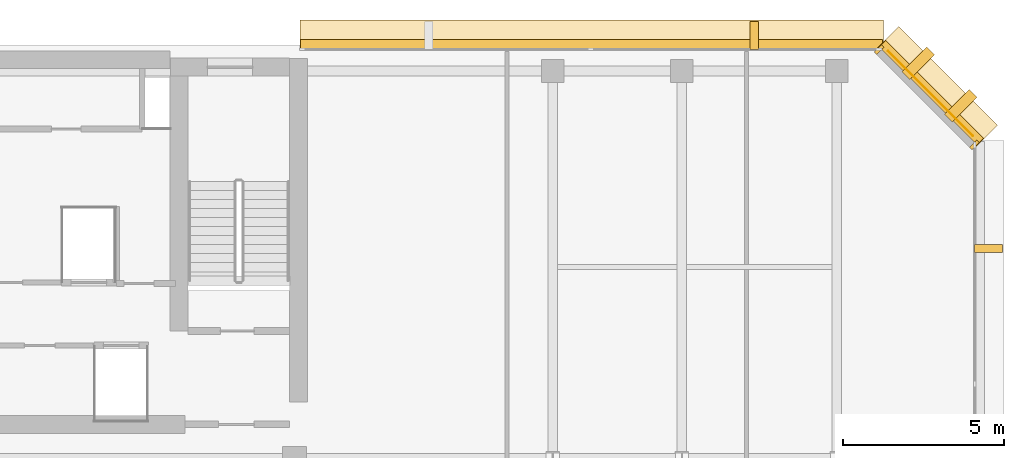
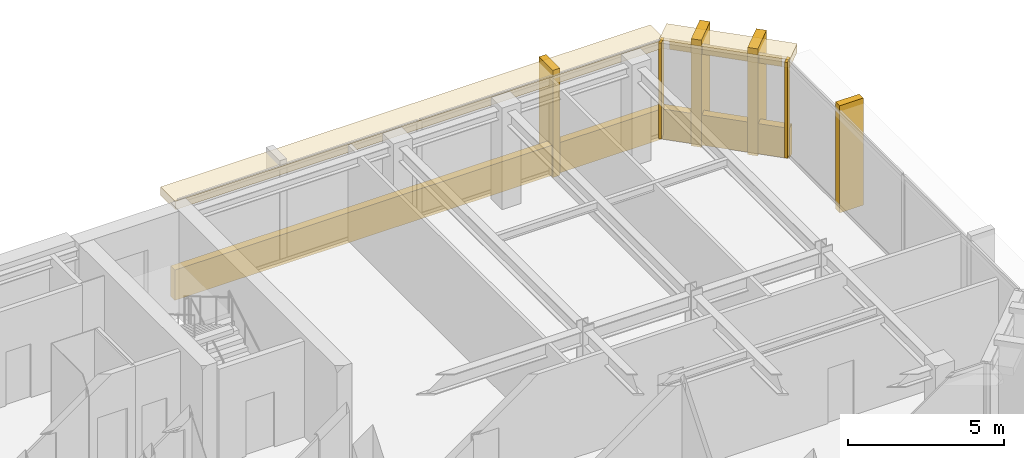
# One storey, part 11 of 11: 11 coverings.
"""IFC4 building model written with IfcOpenShell, lengths in metres."""

import ifcopenshell
import ifcopenshell.guid

model = None  # the IFC model being written
_history = None  # IfcOwnerHistory: only IFC2X3 demands one
_inside = {}  # id of a spatial element -> (the spatial element, [elements in it])
_under = {}  # id of a project, library or spatial element -> (it, [spatial elements below it])
_declared = {}  # id of a project -> (the project, [libraries it declares])
_typed = {}  # id of a type object -> (the type object, [elements of that type])
_made_of = {}  # id of a material, layer set ... -> (it, [elements and type objects made of it])


def new_model(schema):
    """Start an empty IFC model of exactly this schema.

    Asked for "IFC4X3", IfcOpenShell would pick the latest addendum, in which some entities
    have other attributes; the version numbers below select the first issue.
    IFC2X3 requires an IfcOwnerHistory on every rooted entity: one is made here for all.
    """
    global model, _history
    if schema == "IFC4X3":
        model = ifcopenshell.file(schema_version=(4, 3, 0, 0))
    else:
        model = ifcopenshell.file(schema=schema)
    _inside.clear()
    _under.clear()
    _declared.clear()
    _typed.clear()
    _made_of.clear()
    _history = None
    if model.schema == "IFC2X3":
        org = make("IfcOrganization", Name="unknown")
        user = make(
            "IfcPersonAndOrganization",
            ThePerson=make("IfcPerson", FamilyName="unknown"),
            TheOrganization=org,
        )
        app = make(
            "IfcApplication",
            ApplicationDeveloper=org,
            Version="unknown",
            ApplicationFullName="unknown",
            ApplicationIdentifier="unknown",
        )
        _history = make(
            "IfcOwnerHistory",
            OwningUser=user,
            OwningApplication=app,
            ChangeAction="ADDED",
            CreationDate=0,
        )
    return model


def make(cls, **values):
    """One entity of the class cls with the attributes given. An attribute that is None is left unset."""
    return model.create_entity(
        cls, **{name: value for name, value in values.items() if value is not None}
    )


def rooted(cls, **values):
    """An entity with a GlobalId (a new one), such as an element, a storey or a relation."""
    return make(cls, GlobalId=ifcopenshell.guid.new(), OwnerHistory=_history, **values)


def si_unit(unit_type, name, prefix=None):
    """IfcSIUnit, for example si_unit("LENGTHUNIT", "METRE", prefix="MILLI")."""
    return make("IfcSIUnit", UnitType=unit_type, Prefix=prefix, Name=name)


def assignment(units):
    """IfcUnitAssignment: the units of a project."""
    return None if units is None else make("IfcUnitAssignment", Units=units)


def point(xyz):
    """IfcCartesianPoint."""
    return None if xyz is None else make("IfcCartesianPoint", Coordinates=xyz)


def direction(xyz):
    """IfcDirection."""
    return None if xyz is None else make("IfcDirection", DirectionRatios=xyz)


def frame(location, z_axis=None, x_axis=None):
    """IfcAxis2Placement3D, a coordinate frame: its origin and axes. An axis left out is left unset."""
    return make(
        "IfcAxis2Placement3D",
        Location=point(location),
        Axis=direction(z_axis),
        RefDirection=direction(x_axis),
    )


def frame_2d(location, x_axis=None):
    """IfcAxis2Placement2D, a coordinate frame in the plane: its origin and x axis."""
    return make(
        "IfcAxis2Placement2D", Location=point(location), RefDirection=direction(x_axis)
    )


def origin():
    """The frame at (0, 0, 0) with its axes left unset."""
    return frame((0.0, 0.0, 0.0))


def origin_2d():
    """The frame at (0, 0) in the plane with its x axis left unset."""
    return frame_2d((0.0, 0.0))


def place(relative_to, where):
    """IfcLocalPlacement: puts the frame where relative to a parent placement (None: the world)."""
    return make(
        "IfcLocalPlacement", PlacementRelTo=relative_to, RelativePlacement=where
    )


def context(
    kind, dimensions, precision=None, world=None, true_north=None, identifier=None
):
    """IfcGeometricRepresentationContext, for example the 3D "Model" context."""
    return make(
        "IfcGeometricRepresentationContext",
        ContextIdentifier=identifier,
        ContextType=kind,
        CoordinateSpaceDimension=dimensions,
        Precision=precision,
        WorldCoordinateSystem=world,
        TrueNorth=true_north,
    )


def subcontext(parent, identifier, kind, view, scale=None):
    """IfcGeometricRepresentationSubContext, for example "Body" below "Model"."""
    return make(
        "IfcGeometricRepresentationSubContext",
        ContextIdentifier=identifier,
        ContextType=kind,
        ParentContext=parent,
        TargetScale=scale,
        TargetView=view,
    )


def project(units=None, contexts=None):
    """IfcProject with its units and contexts."""
    return rooted(
        "IfcProject",
        Name="project",
        RepresentationContexts=contexts,
        UnitsInContext=assignment(units),
    )


def spatial(cls, under=None, at=None, **own):
    """A site, building, storey or space (cls), placed at a placement, below another one or the project."""
    s = rooted(cls, ObjectPlacement=at, **own)
    if under is not None:
        _under.setdefault(under.id(), (under, []))[1].append(s)
    return s


def profile(cls, at=None, kind="AREA", **sizes):
    """A parametric profile (cls). Its sizes go by their IFC names, for example OverallWidth=200.0."""
    return make(cls, ProfileType=kind, Position=at, **sizes)


def rectangle(**sizes):
    """IfcRectangleProfileDef."""
    return profile("IfcRectangleProfileDef", **sizes)


def extrude(swept, where, along, depth):
    """IfcExtrudedAreaSolid: the profile swept, set in the frame where, extruded along a direction by depth."""
    return make(
        "IfcExtrudedAreaSolid",
        SweptArea=swept,
        Position=where,
        ExtrudedDirection=direction(along),
        Depth=depth,
    )


def shape(context_of_items, identifier, shape_type, items):
    """IfcShapeRepresentation: the items that make up one representation, for example the "Body"."""
    return make(
        "IfcShapeRepresentation",
        ContextOfItems=context_of_items,
        RepresentationIdentifier=identifier,
        RepresentationType=shape_type,
        Items=items,
    )


def material(Name=None, Category=None):
    """IfcMaterial."""
    return make("IfcMaterial", Name=Name, Category=Category)


def layer(
    of_material, thickness, ventilated=None, Name=None, Category=None, Priority=None
):
    """IfcMaterialLayer: one layer of a wall or slab, of a material (None: an air gap)."""
    return make(
        "IfcMaterialLayer",
        Material=of_material,
        LayerThickness=thickness,
        IsVentilated=ventilated,
        Name=Name,
        Category=Category,
        Priority=Priority,
    )


def layer_set(layers, Name=None):
    """IfcMaterialLayerSet."""
    return make("IfcMaterialLayerSet", MaterialLayers=layers, LayerSetName=Name)


def made_of(thing, what):
    """Note that an element or type object is made of a material, layer set ...; save() writes the relation."""
    if what is not None:
        _made_of.setdefault(what.id(), (what, []))[1].append(thing)
    return thing


def type_object(cls, material=None, **own):
    """A type object (cls), such as IfcWallType, which elements share."""
    return made_of(rooted(cls, **own), material)


def element(
    cls,
    number,
    at=None,
    inside=None,
    cuts=None,
    type_object=None,
    material=None,
    context=None,
    identifier="Body",
    shape_type=None,
    held_by="IfcProductDefinitionShape",
    body=None,
    shapes=None,
    **own,
):
    """One element of the class cls, such as IfcWall. Its Tag is "e" and its number.

    at: its placement. inside: the storey or other place that contains it. cuts: it is an
    opening in that element (IfcRelVoidsElement). A single representation is given by context,
    identifier, shape_type and body (its items); several are given by shapes. held_by: the class
    of the entity that holds the representations. save() writes the other relations.
    """
    e = rooted(cls, Tag="e%d" % number, ObjectPlacement=at, **own)
    if body is not None:
        shapes = [shape(context, identifier, shape_type, body)]
    if shapes is not None:
        e.Representation = make(held_by, Representations=shapes)
    if inside is not None:
        _inside.setdefault(inside.id(), (inside, []))[1].append(e)
    if cuts is not None:
        rooted(
            "IfcRelVoidsElement", RelatingBuildingElement=cuts, RelatedOpeningElement=e
        )
    if type_object is not None:
        _typed.setdefault(type_object.id(), (type_object, []))[1].append(e)
    return made_of(e, material)


def aggregate(whole, parts):
    """IfcRelAggregates: a whole, such as a stair, and the parts it consists of."""
    return rooted("IfcRelAggregates", RelatingObject=whole, RelatedObjects=parts)


def save(model, path):
    """Write the relations noted so far, then the file.

    IfcRelAggregates (storeys below a building ...), IfcRelContainedInSpatialStructure (elements
    in a storey), IfcRelDefinesByType, IfcRelAssociatesMaterial and IfcRelDeclares: one each for
    every whole, place, type object, material and project.
    """
    for whole, parts in _under.values():
        aggregate(whole, parts)
    for where, things in _inside.values():
        rooted(
            "IfcRelContainedInSpatialStructure",
            RelatedElements=things,
            RelatingStructure=where,
        )
    for kind, things in _typed.values():
        rooted("IfcRelDefinesByType", RelatedObjects=things, RelatingType=kind)
    for what, things in _made_of.values():
        rooted("IfcRelAssociatesMaterial", RelatedObjects=things, RelatingMaterial=what)
    for by, libraries in _declared.values():
        rooted("IfcRelDeclares", RelatingContext=by, RelatedDefinitions=libraries)
    model.write(path)


model = new_model("IFC4")

# Units and contexts
model_context = context("Model", 3, precision=1e-05, world=origin(), true_north=direction((0.0, 1.0)))
body_context = subcontext(model_context, "Body", "Model", "MODEL_VIEW")
ifc_project = project(units=[si_unit("LENGTHUNIT", "METRE"), si_unit("AREAUNIT", "SQUARE_METRE"), si_unit("VOLUMEUNIT", "CUBIC_METRE"), si_unit("PLANEANGLEUNIT", "RADIAN"), si_unit("MASSUNIT", "GRAM", prefix="KILO")], contexts=[model_context])

# Site, building, storey
site_placement = place(None, origin())
site = spatial("IfcSite", under=ifc_project, at=site_placement, CompositionType="ELEMENT")
building_placement = place(site_placement, origin())
building = spatial("IfcBuilding", under=site, at=building_placement, Name="Kefirva Bronze Tower", CompositionType="ELEMENT")
storey_placement = place(building_placement, frame((0.0, 0.0, 299.969970703125)))
storey = spatial("IfcBuildingStorey", under=building, at=storey_placement, Name="L73", CompositionType="ELEMENT", Elevation=299.969970703125)

# Coverings
ifc_material = material(Name="Bronze anodised aluminium", Category="aluminium")
ifc_layer_1 = layer(ifc_material, 0.02001953125, Name="Bronze anodised aluminium")
ifc_layer_set_1 = layer_set([ifc_layer_1], Name="Bronze anodised aluminium")
covering_type_1 = type_object("IfcCoveringType", Name="Anodised Bronze Spandrel Cladding 20mm", PredefinedType="CLADDING", material=ifc_layer_set_1)
covering_1_placement = place(storey_placement, frame((42.906982421875, 44.507080078125, 3.320068359375), z_axis=(0.0, 0.0, 1.0), x_axis=(-0.707106781187, 0.707106781187, 0.0)))
element("IfcCovering", 1, at=covering_1_placement, inside=storey, type_object=covering_type_1, Name="L73 Bronze Spandrel Cladding 5", PredefinedType="CLADDING", context=body_context, shape_type="SweptSolid", body=[
    extrude(rectangle(XDim=3.719482421875, YDim=0.02001953125, at=origin_2d()), origin(), (0.0, 0.0, 1.0), 0.39990234375),
])
for number, where, z_axis, x_axis, name in (
    (2, (44.26220703125, 42.91162109375, 0.0), (0.0, 0.0, 1.0), (-0.707106781187, 0.707106781187, 0.0), "L73 Facade Joint Closure Panel 5S"),
    (3, (41.311767578125, 45.862060546875, 0.0), (0.0, 0.0, 1.0), (-0.707106781187, 0.707106781187, 0.0), "L73 Facade Joint Closure Panel 5E"),
):
    element("IfcCovering", number, at=place(storey_placement, frame(where, z_axis=z_axis, x_axis=x_axis)), inside=storey, type_object=covering_type_1, Name=name, PredefinedType="CLADDING", context=body_context, shape_type="SweptSolid", body=[
        extrude(rectangle(XDim=0.10009765625, YDim=0.320068359375, at=origin_2d()), origin(), (0.0, 0.0, 1.0), 3.739990234375),
    ])
covering_2_placement = place(storey_placement, frame((42.92822265625, 44.5283203125, -0.16015625), z_axis=(0.0, 0.0, 1.0), x_axis=(-0.707106781187, 0.707106781187, 0.0)))
element("IfcCovering", 4, at=covering_2_placement, inside=storey, type_object=covering_type_1, Name="L73 Streamline Horizontal Spandrel Band 7", PredefinedType="CLADDING", context=body_context, shape_type="SweptSolid", body=[
    extrude(rectangle(XDim=4.28271484375, YDim=0.280029296875, at=origin_2d()), origin(), (0.0, 0.0, 1.0), 1.179931640625),
])
covering_3_placement = place(storey_placement, frame((32.402587890625, 46.0400390625, -0.16015625), z_axis=(0.0, 0.0, 1.0), x_axis=(-1.0, 0.0, 0.0)))
element("IfcCovering", 5, at=covering_3_placement, inside=storey, type_object=covering_type_1, Name="L73 Streamline Horizontal Spandrel Band 8", PredefinedType="CLADDING", context=body_context, shape_type="SweptSolid", body=[
    extrude(rectangle(XDim=18.034912109375, YDim=0.280029296875, at=origin_2d()), origin(), (0.0, 0.0, 1.0), 1.179931640625),
])
ifc_layer_2 = layer(ifc_material, 0.179931640625, Name="Bronze anodised aluminium")
ifc_layer_set_2 = layer_set([ifc_layer_2], Name="Bronze anodised aluminium")
covering_type_2 = type_object("IfcCoveringType", Name="Streamline Bronze Sunshade Eyebrow Cladding 180mm", PredefinedType="CLADDING", material=ifc_layer_set_2)
covering_4_placement = place(storey_placement, frame((43.119140625, 44.71923828125, 3.419921875), z_axis=(0.0, 0.0, 1.0), x_axis=(-0.707106781187, 0.707106781187, 0.0)))
element("IfcCovering", 6, at=covering_4_placement, inside=storey, type_object=covering_type_2, Name="L73 Streamline Bronze Sunshade Eyebrow 7", PredefinedType="CLADDING", context=body_context, shape_type="SweptSolid", body=[
    extrude(rectangle(XDim=4.322509765625, YDim=0.93994140625, at=origin_2d()), origin(), (0.0, 0.0, 1.0), 0.320068359375),
])
covering_5_placement = place(storey_placement, frame((32.402587890625, 46.31005859375, 3.419921875), z_axis=(0.0, 0.0, 1.0), x_axis=(-1.0, 0.0, 0.0)))
element("IfcCovering", 7, at=covering_5_placement, inside=storey, type_object=covering_type_2, Name="L73 Streamline Bronze Sunshade Eyebrow 8", PredefinedType="CLADDING", context=body_context, shape_type="SweptSolid", body=[
    extrude(rectangle(XDim=18.074951171875, YDim=0.93994140625, at=origin_2d()), origin(), (0.0, 0.0, 1.0), 0.320068359375),
])
ifc_layer_3 = layer(ifc_material, 0.260009765625, Name="Bronze anodised aluminium")
ifc_layer_set_3 = layer_set([ifc_layer_3], Name="Bronze anodised aluminium")
covering_type_3 = type_object("IfcCoveringType", Name="Unbroken Bronze Buttress Fin Cladding 260mm", PredefinedType="CLADDING", material=ifc_layer_set_3)
covering_6_placement = place(storey_placement, frame((44.699951171875, 39.699951171875, -0.2197265625), z_axis=(0.0, 0.0, 1.0), x_axis=(0.0, 1.0, 0.0)))
element("IfcCovering", 8, at=covering_6_placement, inside=storey, type_object=covering_type_3, Name="L73 Unbroken Vertical Bronze Rib Fin 14", PredefinedType="CLADDING", context=body_context, shape_type="SweptSolid", body=[
    extrude(rectangle(XDim=0.260009765625, YDim=0.8798828125, at=origin_2d()), origin(), (0.0, 0.0, 1.0), 4.179931640625),
])
for number, where, z_axis, x_axis, name in (
    (9, (43.8427734375, 44.122802734375, -0.2197265625), (0.0, 0.0, 1.0), (-0.707106781187, 0.707106781187, 0.0), "L73 Chamfered Corner Buttress Fin Cladding 15"),
    (10, (42.522705078125, 45.44287109375, -0.2197265625), (0.0, 0.0, 1.0), (-0.707106781187, 0.707106781187, 0.0), "L73 Chamfered Corner Buttress Fin Cladding 16"),
):
    element("IfcCovering", number, at=place(storey_placement, frame(where, z_axis=z_axis, x_axis=x_axis)), inside=storey, type_object=covering_type_3, Name=name, PredefinedType="CLADDING", context=body_context, shape_type="SweptSolid", body=[
        extrude(rectangle(XDim=0.340087890625, YDim=1.080078125, at=origin_2d()), origin(), (0.0, 0.0, 1.0), 4.179931640625),
    ])
covering_7_placement = place(storey_placement, frame((37.441162109375, 46.300048828125, -0.2197265625), z_axis=(0.0, 0.0, 1.0), x_axis=(-1.0, 0.0, 0.0)))
element("IfcCovering", 11, at=covering_7_placement, inside=storey, type_object=covering_type_3, Name="L73 Unbroken Vertical Bronze Rib Fin 17", PredefinedType="CLADDING", context=body_context, shape_type="SweptSolid", body=[
    extrude(rectangle(XDim=0.260009765625, YDim=0.8798828125, at=origin_2d()), origin(), (0.0, 0.0, 1.0), 4.179931640625),
])

save(model, "model.ifc")
